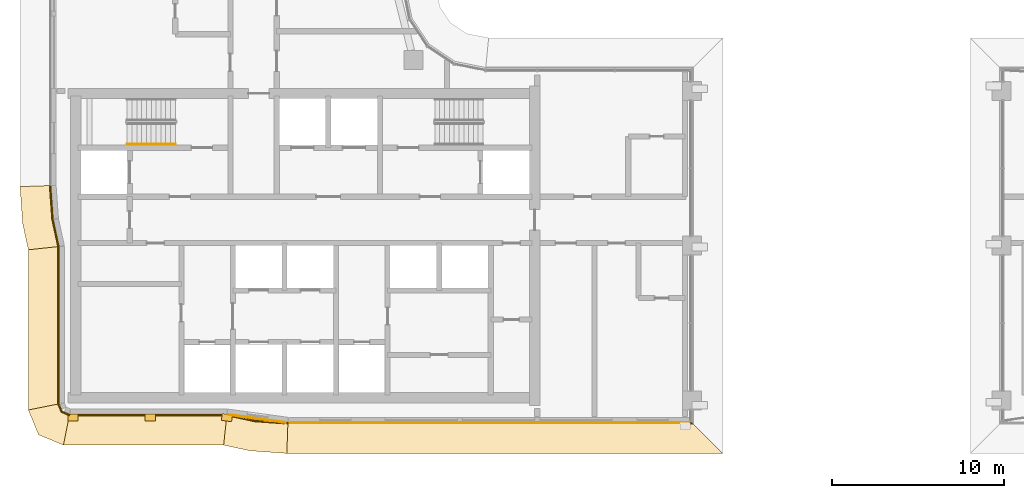
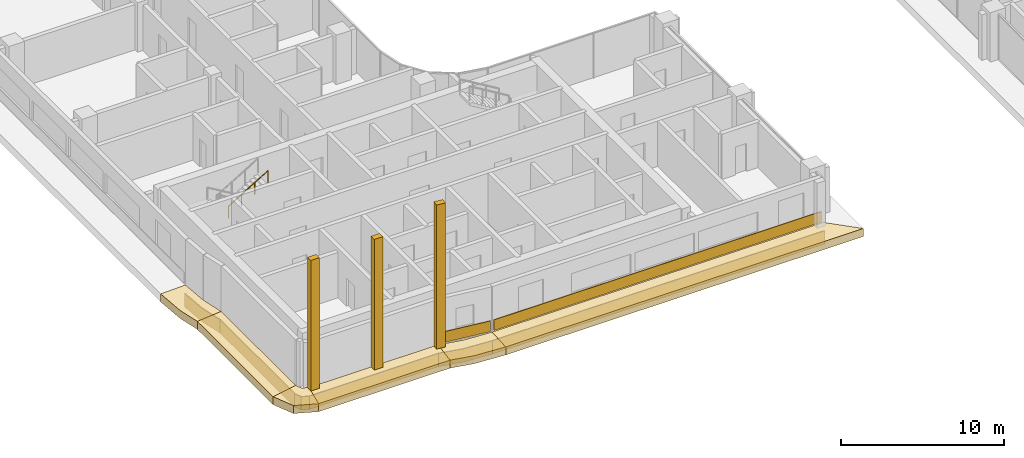
# One storey, part 18 of 27: 17 coverings, 1 railing.
"""IFC4 building model written with IfcOpenShell, lengths in metres."""

import ifcopenshell
import ifcopenshell.guid

model = None  # the IFC model being written
_history = None  # IfcOwnerHistory: only IFC2X3 demands one
_inside = {}  # id of a spatial element -> (the spatial element, [elements in it])
_under = {}  # id of a project, library or spatial element -> (it, [spatial elements below it])
_declared = {}  # id of a project -> (the project, [libraries it declares])
_typed = {}  # id of a type object -> (the type object, [elements of that type])
_made_of = {}  # id of a material, layer set ... -> (it, [elements and type objects made of it])


def new_model(schema):
    """Start an empty IFC model of exactly this schema.

    Asked for "IFC4X3", IfcOpenShell would pick the latest addendum, in which some entities
    have other attributes; the version numbers below select the first issue.
    IFC2X3 requires an IfcOwnerHistory on every rooted entity: one is made here for all.
    """
    global model, _history
    if schema == "IFC4X3":
        model = ifcopenshell.file(schema_version=(4, 3, 0, 0))
    else:
        model = ifcopenshell.file(schema=schema)
    _inside.clear()
    _under.clear()
    _declared.clear()
    _typed.clear()
    _made_of.clear()
    _history = None
    if model.schema == "IFC2X3":
        org = make("IfcOrganization", Name="unknown")
        user = make(
            "IfcPersonAndOrganization",
            ThePerson=make("IfcPerson", FamilyName="unknown"),
            TheOrganization=org,
        )
        app = make(
            "IfcApplication",
            ApplicationDeveloper=org,
            Version="unknown",
            ApplicationFullName="unknown",
            ApplicationIdentifier="unknown",
        )
        _history = make(
            "IfcOwnerHistory",
            OwningUser=user,
            OwningApplication=app,
            ChangeAction="ADDED",
            CreationDate=0,
        )
    return model


def make(cls, **values):
    """One entity of the class cls with the attributes given. An attribute that is None is left unset."""
    return model.create_entity(
        cls, **{name: value for name, value in values.items() if value is not None}
    )


def rooted(cls, **values):
    """An entity with a GlobalId (a new one), such as an element, a storey or a relation."""
    return make(cls, GlobalId=ifcopenshell.guid.new(), OwnerHistory=_history, **values)


def si_unit(unit_type, name, prefix=None):
    """IfcSIUnit, for example si_unit("LENGTHUNIT", "METRE", prefix="MILLI")."""
    return make("IfcSIUnit", UnitType=unit_type, Prefix=prefix, Name=name)


def assignment(units):
    """IfcUnitAssignment: the units of a project."""
    return None if units is None else make("IfcUnitAssignment", Units=units)


def point(xyz):
    """IfcCartesianPoint."""
    return None if xyz is None else make("IfcCartesianPoint", Coordinates=xyz)


def direction(xyz):
    """IfcDirection."""
    return None if xyz is None else make("IfcDirection", DirectionRatios=xyz)


def frame(location, z_axis=None, x_axis=None):
    """IfcAxis2Placement3D, a coordinate frame: its origin and axes. An axis left out is left unset."""
    return make(
        "IfcAxis2Placement3D",
        Location=point(location),
        Axis=direction(z_axis),
        RefDirection=direction(x_axis),
    )


def frame_2d(location, x_axis=None):
    """IfcAxis2Placement2D, a coordinate frame in the plane: its origin and x axis."""
    return make(
        "IfcAxis2Placement2D", Location=point(location), RefDirection=direction(x_axis)
    )


def origin():
    """The frame at (0, 0, 0) with its axes left unset."""
    return frame((0.0, 0.0, 0.0))


def origin_2d():
    """The frame at (0, 0) in the plane with its x axis left unset."""
    return frame_2d((0.0, 0.0))


def place(relative_to, where):
    """IfcLocalPlacement: puts the frame where relative to a parent placement (None: the world)."""
    return make(
        "IfcLocalPlacement", PlacementRelTo=relative_to, RelativePlacement=where
    )


def context(
    kind, dimensions, precision=None, world=None, true_north=None, identifier=None
):
    """IfcGeometricRepresentationContext, for example the 3D "Model" context."""
    return make(
        "IfcGeometricRepresentationContext",
        ContextIdentifier=identifier,
        ContextType=kind,
        CoordinateSpaceDimension=dimensions,
        Precision=precision,
        WorldCoordinateSystem=world,
        TrueNorth=true_north,
    )


def subcontext(parent, identifier, kind, view, scale=None):
    """IfcGeometricRepresentationSubContext, for example "Body" below "Model"."""
    return make(
        "IfcGeometricRepresentationSubContext",
        ContextIdentifier=identifier,
        ContextType=kind,
        ParentContext=parent,
        TargetScale=scale,
        TargetView=view,
    )


def project(units=None, contexts=None):
    """IfcProject with its units and contexts."""
    return rooted(
        "IfcProject",
        Name="project",
        RepresentationContexts=contexts,
        UnitsInContext=assignment(units),
    )


def spatial(cls, under=None, at=None, **own):
    """A site, building, storey or space (cls), placed at a placement, below another one or the project."""
    s = rooted(cls, ObjectPlacement=at, **own)
    if under is not None:
        _under.setdefault(under.id(), (under, []))[1].append(s)
    return s


def polyline(points):
    """IfcPolyline through the points."""
    return make("IfcPolyline", Points=[point(p) for p in points])


def profile(cls, at=None, kind="AREA", **sizes):
    """A parametric profile (cls). Its sizes go by their IFC names, for example OverallWidth=200.0."""
    return make(cls, ProfileType=kind, Position=at, **sizes)


def rectangle(**sizes):
    """IfcRectangleProfileDef."""
    return profile("IfcRectangleProfileDef", **sizes)


def circle(**sizes):
    """IfcCircleProfileDef."""
    return profile("IfcCircleProfileDef", **sizes)


def outline(outer, holes=None, kind="AREA"):
    """IfcArbitraryClosedProfileDef: a profile drawn as a closed curve; with holes, ...WithVoids."""
    if holes is None:
        return make("IfcArbitraryClosedProfileDef", ProfileType=kind, OuterCurve=outer)
    return make(
        "IfcArbitraryProfileDefWithVoids",
        ProfileType=kind,
        OuterCurve=outer,
        InnerCurves=holes,
    )


def extrude(swept, where, along, depth):
    """IfcExtrudedAreaSolid: the profile swept, set in the frame where, extruded along a direction by depth."""
    return make(
        "IfcExtrudedAreaSolid",
        SweptArea=swept,
        Position=where,
        ExtrudedDirection=direction(along),
        Depth=depth,
    )


def shape(context_of_items, identifier, shape_type, items):
    """IfcShapeRepresentation: the items that make up one representation, for example the "Body"."""
    return make(
        "IfcShapeRepresentation",
        ContextOfItems=context_of_items,
        RepresentationIdentifier=identifier,
        RepresentationType=shape_type,
        Items=items,
    )


def material(Name=None, Category=None):
    """IfcMaterial."""
    return make("IfcMaterial", Name=Name, Category=Category)


def layer(
    of_material, thickness, ventilated=None, Name=None, Category=None, Priority=None
):
    """IfcMaterialLayer: one layer of a wall or slab, of a material (None: an air gap)."""
    return make(
        "IfcMaterialLayer",
        Material=of_material,
        LayerThickness=thickness,
        IsVentilated=ventilated,
        Name=Name,
        Category=Category,
        Priority=Priority,
    )


def layer_set(layers, Name=None):
    """IfcMaterialLayerSet."""
    return make("IfcMaterialLayerSet", MaterialLayers=layers, LayerSetName=Name)


def made_of(thing, what):
    """Note that an element or type object is made of a material, layer set ...; save() writes the relation."""
    if what is not None:
        _made_of.setdefault(what.id(), (what, []))[1].append(thing)
    return thing


def type_object(cls, material=None, **own):
    """A type object (cls), such as IfcWallType, which elements share."""
    return made_of(rooted(cls, **own), material)


def element(
    cls,
    number,
    at=None,
    inside=None,
    cuts=None,
    type_object=None,
    material=None,
    context=None,
    identifier="Body",
    shape_type=None,
    held_by="IfcProductDefinitionShape",
    body=None,
    shapes=None,
    **own,
):
    """One element of the class cls, such as IfcWall. Its Tag is "e" and its number.

    at: its placement. inside: the storey or other place that contains it. cuts: it is an
    opening in that element (IfcRelVoidsElement). A single representation is given by context,
    identifier, shape_type and body (its items); several are given by shapes. held_by: the class
    of the entity that holds the representations. save() writes the other relations.
    """
    e = rooted(cls, Tag="e%d" % number, ObjectPlacement=at, **own)
    if body is not None:
        shapes = [shape(context, identifier, shape_type, body)]
    if shapes is not None:
        e.Representation = make(held_by, Representations=shapes)
    if inside is not None:
        _inside.setdefault(inside.id(), (inside, []))[1].append(e)
    if cuts is not None:
        rooted(
            "IfcRelVoidsElement", RelatingBuildingElement=cuts, RelatedOpeningElement=e
        )
    if type_object is not None:
        _typed.setdefault(type_object.id(), (type_object, []))[1].append(e)
    return made_of(e, material)


def aggregate(whole, parts):
    """IfcRelAggregates: a whole, such as a stair, and the parts it consists of."""
    return rooted("IfcRelAggregates", RelatingObject=whole, RelatedObjects=parts)


def save(model, path):
    """Write the relations noted so far, then the file.

    IfcRelAggregates (storeys below a building ...), IfcRelContainedInSpatialStructure (elements
    in a storey), IfcRelDefinesByType, IfcRelAssociatesMaterial and IfcRelDeclares: one each for
    every whole, place, type object, material and project.
    """
    for whole, parts in _under.values():
        aggregate(whole, parts)
    for where, things in _inside.values():
        rooted(
            "IfcRelContainedInSpatialStructure",
            RelatedElements=things,
            RelatingStructure=where,
        )
    for kind, things in _typed.values():
        rooted("IfcRelDefinesByType", RelatedObjects=things, RelatingType=kind)
    for what, things in _made_of.values():
        rooted("IfcRelAssociatesMaterial", RelatedObjects=things, RelatingMaterial=what)
    for by, libraries in _declared.values():
        rooted("IfcRelDeclares", RelatingContext=by, RelatedDefinitions=libraries)
    model.write(path)


model = new_model("IFC4")

# Units and contexts
model_context = context("Model", 3, precision=1e-05, world=origin(), true_north=direction((0.0, 1.0)))
body_context = subcontext(model_context, "Body", "Model", "MODEL_VIEW")
ifc_project = project(units=[si_unit("LENGTHUNIT", "METRE"), si_unit("AREAUNIT", "SQUARE_METRE"), si_unit("VOLUMEUNIT", "CUBIC_METRE"), si_unit("PLANEANGLEUNIT", "RADIAN"), si_unit("MASSUNIT", "GRAM", prefix="KILO")], contexts=[model_context])

# Site, building, storey
site_placement = place(None, origin())
site = spatial("IfcSite", under=ifc_project, at=site_placement, CompositionType="ELEMENT")
building_placement = place(site_placement, origin())
building = spatial("IfcBuilding", under=site, at=building_placement, Name="Ogive Portal Towers", CompositionType="ELEMENT")
storey_placement = place(building_placement, frame((0.0, 0.0, 160.699951171875)))
storey = spatial("IfcBuildingStorey", under=building, at=storey_placement, Name="L39", CompositionType="ELEMENT", Elevation=160.699951171875)

# Railing
ifc_material_1 = material(Name="Stainless steel handrail", Category="steel")
railing_type = type_object("IfcRailingType", Name="INT-HANDRAIL", PredefinedType="HANDRAIL", material=ifc_material_1)
railing_placement = place(storey_placement, frame((34.64990234375, 36.39990234375, 2.018310546875)))
element("IfcRailing", 1, at=railing_placement, inside=storey, type_object=railing_type, Name="L39 ST-A1 stair handrail 2", PredefinedType="HANDRAIL", context=body_context, shape_type="SweptSolid", body=[
    extrude(circle(Radius=0.02392578125, at=origin_2d()), frame((0.0, 0.0, 0.8759765625), z_axis=(0.857275202839, 0.0, 0.514858452973), x_axis=(0.0, 1.0, 0.0)), (0.0, 0.0, 1.0), 3.26611328125),
    extrude(circle(Radius=0.02099609375, at=origin_2d()), origin(), (0.0, 0.0, 1.0), 0.851806640625),
    extrude(circle(Radius=0.02099609375, at=origin_2d()), frame((0.933349609375, 0.0, 0.560546875)), (0.0, 0.0, 1.0), 0.851806640625),
    extrude(circle(Radius=0.02099609375, at=origin_2d()), frame((1.86669921875, 0.0, 1.12109375)), (0.0, 0.0, 1.0), 0.851806640625),
    extrude(circle(Radius=0.02099609375, at=origin_2d()), frame((2.800048828125, 0.0, 1.681640625)), (0.0, 0.0, 1.0), 0.851806640625),
])

# Coverings
ifc_material_2 = material(Name="Limestone cladding on lightweight block wall", Category="masonry")
ifc_layer_1 = layer(ifc_material_2, 0.050048828125)
ifc_layer_set_1 = layer_set([ifc_layer_1], Name="SCREEN PERFORATED STONE")
covering_type_1 = type_object("IfcCoveringType", Name="SCREEN PERFORATED STONE", PredefinedType="CLADDING", material=ifc_layer_set_1)
covering_1_placement = place(storey_placement, frame((42.21337890625, 20.43408203125, 0.10009765625), z_axis=(0.0, 0.0, 1.0), x_axis=(0.990777310626, -0.135500261066, 0.0)))
element("IfcCovering", 2, at=covering_1_placement, inside=storey, type_object=covering_type_1, Name="Tracery screen", PredefinedType="CLADDING", context=body_context, shape_type="SweptSolid", body=[
    extrude(rectangle(XDim=3.35888671875, YDim=0.050048828125, at=origin_2d()), origin(), (0.0, 0.0, 1.0), 0.800048828125),
])
covering_2_placement = place(storey_placement, frame((55.72021484375, 20.18994140625, 0.10009765625), z_axis=(0.0, 0.0, 1.0), x_axis=(1.0, 0.0, 0.0)))
element("IfcCovering", 3, at=covering_2_placement, inside=storey, type_object=covering_type_1, Name="Tracery screen", PredefinedType="CLADDING", context=body_context, shape_type="SweptSolid", body=[
    extrude(rectangle(XDim=23.199462890625, YDim=0.050048828125, at=origin_2d()), origin(), (0.0, 0.0, 1.0), 0.800048828125),
])
ifc_layer_2 = layer(ifc_material_2, 0.39990234375)
ifc_layer_set_2 = layer_set([ifc_layer_2], Name="SPINE PIER STONE")
covering_type_2 = type_object("IfcCoveringType", Name="SPINE PIER STONE", PredefinedType="CLADDING", material=ifc_layer_set_2)
for number, where, z_axis, x_axis, name in (
    (4, (31.5, 20.5, 0.0), (0.0, 0.0, 1.0), (1.0, 0.0, 0.0), "SPINE PIER"),
    (5, (36.0, 20.5, 0.0), (0.0, 0.0, 1.0), (1.0, 0.0, 0.0), "SPINE PIER"),
):
    element("IfcCovering", number, at=place(storey_placement, frame(where, z_axis=z_axis, x_axis=x_axis)), inside=storey, type_object=covering_type_2, Name=name, PredefinedType="CLADDING", context=body_context, shape_type="SweptSolid", body=[
        extrude(rectangle(XDim=0.60009765625, YDim=0.39990234375, at=origin_2d()), origin(), (0.0, 0.0, 1.0), 9.800048828125),
    ])
covering_3_placement = place(storey_placement, frame((40.45263671875, 20.498291015625, 0.0), z_axis=(0.0, 0.0, 1.0), x_axis=(0.990777425438, -0.135499421558, 0.0)))
element("IfcCovering", 6, at=covering_3_placement, inside=storey, type_object=covering_type_2, Name="SPINE PIER", PredefinedType="CLADDING", context=body_context, shape_type="SweptSolid", body=[
    extrude(rectangle(XDim=0.60009765625, YDim=0.39990234375, at=origin_2d()), origin(), (0.0, 0.0, 1.0), 10.800048828125),
])
ifc_layer_3 = layer(ifc_material_2, 0.080078125)
ifc_layer_set_3 = layer_set([ifc_layer_3], Name="STONE SPANDREL 80")
covering_type_3 = type_object("IfcCoveringType", Name="STONE SPANDREL 80", PredefinedType="CLADDING", material=ifc_layer_set_3)
covering_4_placement = place(storey_placement, frame((0.0, 0.0, -1.599853515625)))
element("IfcCovering", 7, at=covering_4_placement, inside=storey, type_object=covering_type_3, Name="Stone spandrel A1-F01", PredefinedType="CLADDING", context=body_context, shape_type="SweptSolid", body=[
    extrude(outline(polyline([(30.699951171875, 30.45361328125), (30.699951171875, 21.300048828125), (30.6201171875, 21.2841796875), (30.6201171875, 30.445068359375), (30.699951171875, 30.45361328125)])), origin(), (0.0, 0.0, 1.0), 1.0),
])
covering_5_placement = place(storey_placement, frame((0.0, 0.0, -1.599853515625)))
element("IfcCovering", 8, at=covering_5_placement, inside=storey, type_object=covering_type_3, Name="Stone spandrel A1-F02", PredefinedType="CLADDING", context=body_context, shape_type="SweptSolid", body=[
    extrude(outline(polyline([(30.699951171875, 21.300048828125), (30.875732421875, 20.875732421875), (31.300048828125, 20.699951171875), (31.2841796875, 20.6201171875), (30.814453125, 20.814453125), (30.6201171875, 21.2841796875), (30.699951171875, 21.300048828125)])), origin(), (0.0, 0.0, 1.0), 1.0),
])
covering_6_placement = place(storey_placement, frame((0.0, 0.0, -1.599853515625)))
element("IfcCovering", 9, at=covering_6_placement, inside=storey, type_object=covering_type_3, Name="Stone spandrel A1-F03", PredefinedType="CLADDING", context=body_context, shape_type="SweptSolid", body=[
    extrude(outline(polyline([(31.300048828125, 20.699951171875), (40.45361328125, 20.699951171875), (40.445068359375, 20.6201171875), (31.2841796875, 20.6201171875), (31.300048828125, 20.699951171875)])), origin(), (0.0, 0.0, 1.0), 1.0),
])
covering_7_placement = place(storey_placement, frame((0.0, 0.0, -1.599853515625)))
element("IfcCovering", 10, at=covering_7_placement, inside=storey, type_object=covering_type_3, Name="Stone spandrel A1-F04", PredefinedType="CLADDING", context=body_context, shape_type="SweptSolid", body=[
    extrude(outline(polyline([(40.45361328125, 20.699951171875), (42.0380859375, 20.355224609375), (44.0, 20.215087890625), (43.9970703125, 20.135009765625), (42.02685546875, 20.27587890625), (40.445068359375, 20.6201171875), (40.45361328125, 20.699951171875)])), origin(), (0.0, 0.0, 1.0), 1.0),
])
covering_8_placement = place(storey_placement, frame((0.0, 0.0, -1.599853515625)))
element("IfcCovering", 11, at=covering_8_placement, inside=storey, type_object=covering_type_3, Name="Stone spandrel A1-F05", PredefinedType="CLADDING", context=body_context, shape_type="SweptSolid", body=[
    extrude(outline(polyline([(44.0, 20.215087890625), (67.5, 20.215087890625), (67.580078125, 20.135009765625), (43.9970703125, 20.135009765625), (44.0, 20.215087890625)])), origin(), (0.0, 0.0, 1.0), 1.0),
])
covering_9_placement = place(storey_placement, frame((0.0, 0.0, -1.599853515625)))
element("IfcCovering", 12, at=covering_9_placement, inside=storey, type_object=covering_type_3, Name="Stone spandrel A1-F12", PredefinedType="CLADDING", context=body_context, shape_type="SweptSolid", body=[
    extrude(outline(polyline([(30.215087890625, 34.0), (30.355224609375, 32.0380859375), (30.699951171875, 30.45361328125), (30.6201171875, 30.445068359375), (30.27587890625, 32.02685546875), (30.135009765625, 33.9970703125), (30.215087890625, 34.0)])), origin(), (0.0, 0.0, 1.0), 1.0),
])
ifc_layer_4 = layer(ifc_material_2, 0.60009765625)
ifc_layer_set_4 = layer_set([ifc_layer_4], Name="SUNSHADE LIP 600")
covering_type_4 = type_object("IfcCoveringType", Name="SUNSHADE LIP 600", PredefinedType="CLADDING", material=ifc_layer_set_4)
covering_10_placement = place(storey_placement, frame((0.0, 0.0, -0.599853515625)))
element("IfcCovering", 13, at=covering_10_placement, inside=storey, type_object=covering_type_4, Name="Sunshade lip A1-F01", PredefinedType="CLADDING", context=body_context, shape_type="SweptSolid", body=[
    extrude(outline(polyline([(30.699951171875, 30.45361328125), (30.699951171875, 21.300048828125), (28.89990234375, 20.94189453125), (28.89990234375, 30.26025390625), (30.699951171875, 30.45361328125)])), origin(), (0.0, 0.0, 1.0), 0.599853515625),
])
covering_11_placement = place(storey_placement, frame((0.0, 0.0, -0.599853515625)))
element("IfcCovering", 14, at=covering_11_placement, inside=storey, type_object=covering_type_4, Name="Sunshade lip A1-F02", PredefinedType="CLADDING", context=body_context, shape_type="SweptSolid", body=[
    extrude(outline(polyline([(30.699951171875, 21.300048828125), (30.875732421875, 20.875732421875), (31.300048828125, 20.699951171875), (30.94189453125, 18.89990234375), (29.498046875, 19.498046875), (28.89990234375, 20.94189453125), (30.699951171875, 21.300048828125)])), origin(), (0.0, 0.0, 1.0), 0.599853515625),
])
covering_12_placement = place(storey_placement, frame((0.0, 0.0, -0.599853515625)))
element("IfcCovering", 15, at=covering_12_placement, inside=storey, type_object=covering_type_4, Name="Sunshade lip A1-F03", PredefinedType="CLADDING", context=body_context, shape_type="SweptSolid", body=[
    extrude(outline(polyline([(31.300048828125, 20.699951171875), (40.45361328125, 20.699951171875), (40.26025390625, 18.89990234375), (30.94189453125, 18.89990234375), (31.300048828125, 20.699951171875)])), origin(), (0.0, 0.0, 1.0), 0.599853515625),
])
covering_13_placement = place(storey_placement, frame((0.0, 0.0, -0.599853515625)))
element("IfcCovering", 16, at=covering_13_placement, inside=storey, type_object=covering_type_4, Name="Sunshade lip A1-F04", PredefinedType="CLADDING", context=body_context, shape_type="SweptSolid", body=[
    extrude(outline(polyline([(40.45361328125, 20.699951171875), (42.0380859375, 20.355224609375), (44.0, 20.215087890625), (43.935791015625, 18.4150390625), (41.78125, 18.569091796875), (40.26025390625, 18.89990234375), (40.45361328125, 20.699951171875)])), origin(), (0.0, 0.0, 1.0), 0.599853515625),
])
covering_14_placement = place(storey_placement, frame((0.0, 0.0, -0.599853515625)))
element("IfcCovering", 17, at=covering_14_placement, inside=storey, type_object=covering_type_4, Name="Sunshade lip A1-F05", PredefinedType="CLADDING", context=body_context, shape_type="SweptSolid", body=[
    extrude(outline(polyline([(44.0, 20.215087890625), (67.5, 20.215087890625), (69.300048828125, 18.4150390625), (43.935791015625, 18.4150390625), (44.0, 20.215087890625)])), origin(), (0.0, 0.0, 1.0), 0.599853515625),
])
covering_15_placement = place(storey_placement, frame((0.0, 0.0, -0.599853515625)))
element("IfcCovering", 18, at=covering_15_placement, inside=storey, type_object=covering_type_4, Name="Sunshade lip A1-F12", PredefinedType="CLADDING", context=body_context, shape_type="SweptSolid", body=[
    extrude(outline(polyline([(30.215087890625, 34.0), (30.355224609375, 32.0380859375), (30.699951171875, 30.45361328125), (28.89990234375, 30.26025390625), (28.569091796875, 31.78125), (28.4150390625, 33.935791015625), (30.215087890625, 34.0)])), origin(), (0.0, 0.0, 1.0), 0.599853515625),
])

save(model, "model.ifc")
